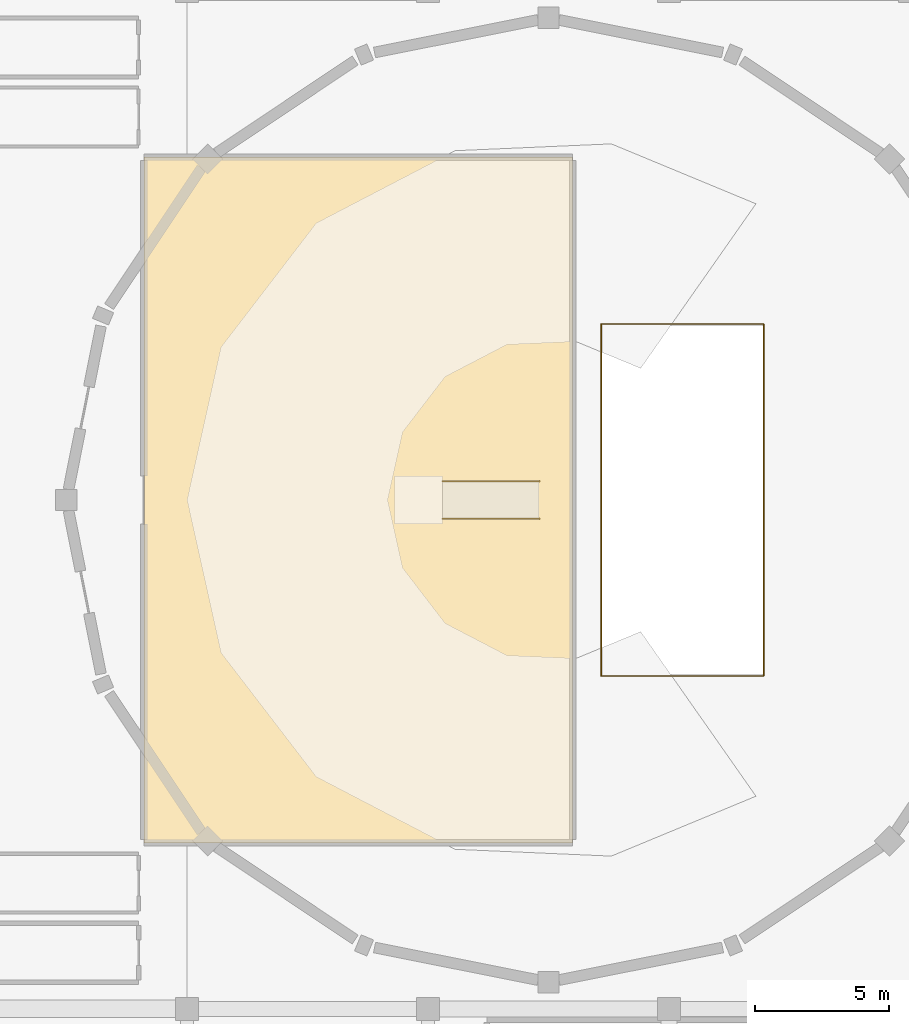
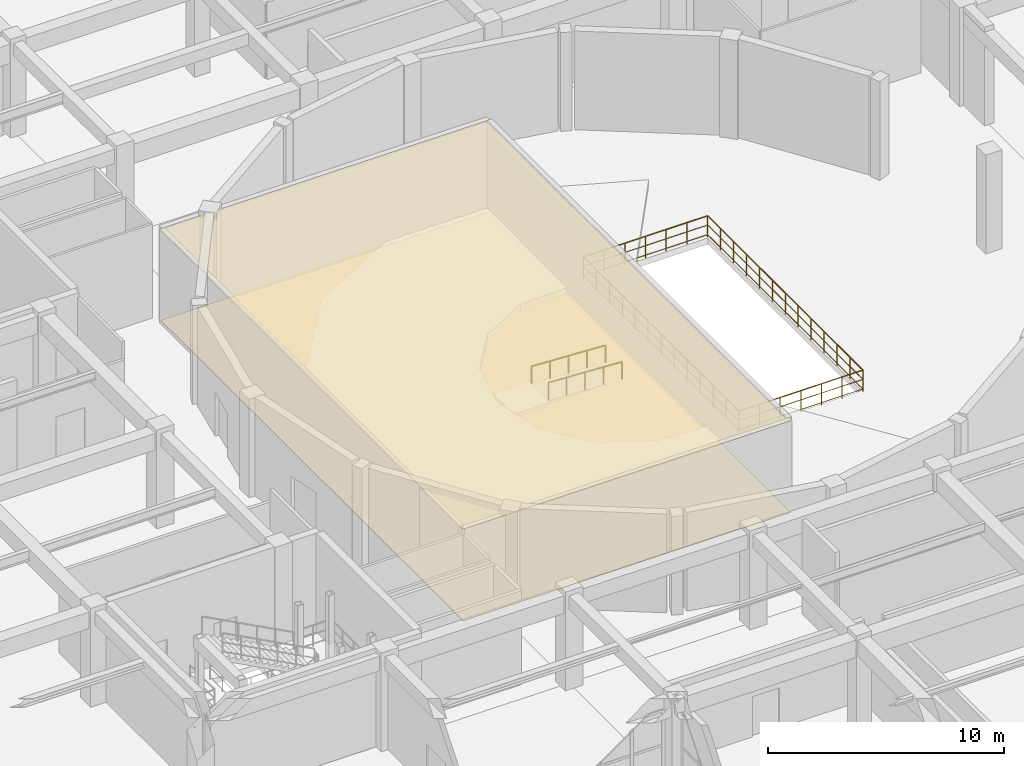
# One storey, part 120 of 128: 3 railings, 2 coverings.
"""IFC4 building model written with IfcOpenShell, lengths in metres."""

from ifc_helpers import new_model, si_unit, direction, frame, origin, origin_2d, place, context, subcontext, project, spatial, polyline, circle, outline, extrude, material, layer, layer_set, type_object, element, save


model = new_model("IFC4")

# Units and contexts
model_context = context("Model", 3, precision=1e-05, world=origin(), true_north=direction((0.0, 1.0)))
body_context = subcontext(model_context, "Body", "Model", "MODEL_VIEW")
ifc_project = project(units=[si_unit("LENGTHUNIT", "METRE"), si_unit("AREAUNIT", "SQUARE_METRE"), si_unit("VOLUMEUNIT", "CUBIC_METRE"), si_unit("PLANEANGLEUNIT", "RADIAN"), si_unit("MASSUNIT", "GRAM", prefix="KILO")], contexts=[model_context])

# Site, building, storey
site_placement = place(None, origin())
site = spatial("IfcSite", under=ifc_project, at=site_placement, CompositionType="ELEMENT")
building_placement = place(site_placement, origin())
building = spatial("IfcBuilding", under=site, at=building_placement, Name="Miravela Opera House", CompositionType="ELEMENT")
storey_placement = place(building_placement, origin())
storey = spatial("IfcBuildingStorey", under=building, at=storey_placement, Name="L00", CompositionType="ELEMENT", Elevation=0.0)

# Coverings
ifc_material_1 = material(Name="Suspended acoustic gypsum board ceiling")
ifc_layer_1 = layer(ifc_material_1, 0.02392578125)
ifc_layer_set_1 = layer_set([ifc_layer_1])
covering_type_1 = type_object("IfcCoveringType", Name="ARC-CEIL-GYPSUM-24", PredefinedType="CEILING", material=ifc_layer_set_1)
covering_1_placement = place(storey_placement, frame((0.0, 0.0, 4.72998046875)))
element("IfcCovering", 1, at=covering_1_placement, inside=storey, type_object=covering_type_1, Name="Main Opera Auditorium Stalls Acoustic Ceiling", PredefinedType="CEILING", context=body_context, shape_type="SweptSolid", body=[
    extrude(outline(polyline([(61.39990234375, 43.199951171875), (77.39990234375, 43.199951171875), (77.39990234375, 68.800048828125), (61.39990234375, 68.800048828125), (61.39990234375, 43.199951171875)])), origin(), (0.0, 0.0, 1.0), 0.02392578125),
])
ifc_material_2 = material(Name="Honed Guatemalan limestone foyer flooring", Category="masonry")
ifc_layer_2 = layer(ifc_material_2, 0.02587890625)
ifc_layer_set_2 = layer_set([ifc_layer_2])
covering_type_2 = type_object("IfcCoveringType", Name="ARC-FLR-TRAVERTINE-26", PredefinedType="FLOORING", material=ifc_layer_set_2)
covering_2_placement = place(storey_placement, origin())
element("IfcCovering", 2, at=covering_2_placement, inside=storey, type_object=covering_type_2, Name="Main Opera Auditorium Stalls Finish Flooring", PredefinedType="FLOORING", context=body_context, shape_type="SweptSolid", body=[
    extrude(outline(polyline([(61.39990234375, 43.199951171875), (77.39990234375, 43.199951171875), (77.39990234375, 68.800048828125), (61.39990234375, 68.800048828125), (61.39990234375, 43.199951171875)])), origin(), (0.0, 0.0, 1.0), 0.02587890625),
])

# Railings
ifc_material_3 = material(Name="Gilded bronze auditorium tier balustrade")
railing_type_1 = type_object("IfcRailingType", Name="ARC-RAIL-BOWL-BAL", PredefinedType="BALUSTRADE", material=ifc_material_3)
railing_placement = place(storey_placement, frame((78.466552734375, 49.427490234375, 0.0)))
element("IfcRailing", 3, at=railing_placement, inside=storey, type_object=railing_type_1, Name="L00 Void Perimeter Balustrade 0152", PredefinedType="BALUSTRADE", context=body_context, shape_type="SweptSolid", body=[
    extrude(circle(Radius=0.02490234375, at=origin_2d()), frame((0.0, 0.0, 1.09521484375), z_axis=(1.0, 0.0, 0.0), x_axis=(0.0, 1.0, 0.0)), (0.0, 0.0, 1.0), 6.06689453125),
    extrude(circle(Radius=0.01611328125, at=origin_2d()), frame((0.0, 0.0, 0.615966796875), z_axis=(1.0, 0.0, 0.0), x_axis=(0.0, 1.0, 0.0)), (0.0, 0.0, 1.0), 6.06689453125),
    extrude(circle(Radius=0.01611328125, at=origin_2d()), frame((0.0, 0.0, 0.1201171875), z_axis=(1.0, 0.0, 0.0), x_axis=(0.0, 1.0, 0.0)), (0.0, 0.0, 1.0), 6.06689453125),
    extrude(circle(Radius=0.02490234375, at=origin_2d()), frame((6.06689453125, 0.0, 1.09521484375), z_axis=(0.0, 1.0, 0.0), x_axis=(-1.0, 0.0, 0.0)), (0.0, 0.0, 1.0), 13.14501953125),
    extrude(circle(Radius=0.01611328125, at=origin_2d()), frame((6.06689453125, 0.0, 0.615966796875), z_axis=(0.0, 1.0, 0.0), x_axis=(-1.0, 0.0, 0.0)), (0.0, 0.0, 1.0), 13.14501953125),
    extrude(circle(Radius=0.01611328125, at=origin_2d()), frame((6.06689453125, 0.0, 0.1201171875), z_axis=(0.0, 1.0, 0.0), x_axis=(-1.0, 0.0, 0.0)), (0.0, 0.0, 1.0), 13.14501953125),
    extrude(circle(Radius=0.02490234375, at=origin_2d()), frame((6.06689453125, 13.14501953125, 1.09521484375), z_axis=(-1.0, 0.0, 0.0), x_axis=(0.0, -1.0, 0.0)), (0.0, 0.0, 1.0), 6.06689453125),
    extrude(circle(Radius=0.01611328125, at=origin_2d()), frame((6.06689453125, 13.14501953125, 0.615966796875), z_axis=(-1.0, 0.0, 0.0), x_axis=(0.0, -1.0, 0.0)), (0.0, 0.0, 1.0), 6.06689453125),
    extrude(circle(Radius=0.01611328125, at=origin_2d()), frame((6.06689453125, 13.14501953125, 0.1201171875), z_axis=(-1.0, 0.0, 0.0), x_axis=(0.0, -1.0, 0.0)), (0.0, 0.0, 1.0), 6.06689453125),
    extrude(circle(Radius=0.02490234375, at=origin_2d()), frame((0.0, 13.14501953125, 1.09521484375), z_axis=(0.0, -1.0, 0.0), x_axis=(1.0, 0.0, 0.0)), (0.0, 0.0, 1.0), 13.14501953125),
    extrude(circle(Radius=0.01611328125, at=origin_2d()), frame((0.0, 13.14501953125, 0.615966796875), z_axis=(0.0, -1.0, 0.0), x_axis=(1.0, 0.0, 0.0)), (0.0, 0.0, 1.0), 13.14501953125),
    extrude(circle(Radius=0.01611328125, at=origin_2d()), frame((0.0, 13.14501953125, 0.1201171875), z_axis=(0.0, -1.0, 0.0), x_axis=(1.0, 0.0, 0.0)), (0.0, 0.0, 1.0), 13.14501953125),
    extrude(circle(Radius=0.02099609375, at=origin_2d()), origin(), (0.0, 0.0, 1.0), 1.070068359375),
    extrude(circle(Radius=0.02099609375, at=origin_2d()), frame((1.01123046875, 0.0, 0.0)), (0.0, 0.0, 1.0), 1.070068359375),
    extrude(circle(Radius=0.02099609375, at=origin_2d()), frame((2.022216796875, 0.0, 0.0)), (0.0, 0.0, 1.0), 1.070068359375),
    extrude(circle(Radius=0.02099609375, at=origin_2d()), frame((3.033447265625, 0.0, 0.0)), (0.0, 0.0, 1.0), 1.070068359375),
    extrude(circle(Radius=0.02099609375, at=origin_2d()), frame((4.044677734375, 0.0, 0.0)), (0.0, 0.0, 1.0), 1.070068359375),
    extrude(circle(Radius=0.02099609375, at=origin_2d()), frame((5.0556640625, 0.0, 0.0)), (0.0, 0.0, 1.0), 1.070068359375),
    extrude(circle(Radius=0.02099609375, at=origin_2d()), frame((6.06689453125, 0.0, 0.0)), (0.0, 0.0, 1.0), 1.070068359375),
    extrude(circle(Radius=0.02099609375, at=origin_2d()), frame((6.06689453125, 1.095458984375, 0.0)), (0.0, 0.0, 1.0), 1.070068359375),
    extrude(circle(Radius=0.02099609375, at=origin_2d()), frame((6.06689453125, 2.19091796875, 0.0)), (0.0, 0.0, 1.0), 1.070068359375),
    extrude(circle(Radius=0.02099609375, at=origin_2d()), frame((6.06689453125, 3.2861328125, 0.0)), (0.0, 0.0, 1.0), 1.070068359375),
    extrude(circle(Radius=0.02099609375, at=origin_2d()), frame((6.06689453125, 4.381591796875, 0.0)), (0.0, 0.0, 1.0), 1.070068359375),
    extrude(circle(Radius=0.02099609375, at=origin_2d()), frame((6.06689453125, 5.47705078125, 0.0)), (0.0, 0.0, 1.0), 1.070068359375),
    extrude(circle(Radius=0.02099609375, at=origin_2d()), frame((6.06689453125, 6.572509765625, 0.0)), (0.0, 0.0, 1.0), 1.070068359375),
    extrude(circle(Radius=0.02099609375, at=origin_2d()), frame((6.06689453125, 7.66796875, 0.0)), (0.0, 0.0, 1.0), 1.070068359375),
    extrude(circle(Radius=0.02099609375, at=origin_2d()), frame((6.06689453125, 8.763427734375, 0.0)), (0.0, 0.0, 1.0), 1.070068359375),
    extrude(circle(Radius=0.02099609375, at=origin_2d()), frame((6.06689453125, 9.85888671875, 0.0)), (0.0, 0.0, 1.0), 1.070068359375),
    extrude(circle(Radius=0.02099609375, at=origin_2d()), frame((6.06689453125, 10.9541015625, 0.0)), (0.0, 0.0, 1.0), 1.070068359375),
    extrude(circle(Radius=0.02099609375, at=origin_2d()), frame((6.06689453125, 12.049560546875, 0.0)), (0.0, 0.0, 1.0), 1.070068359375),
    extrude(circle(Radius=0.02099609375, at=origin_2d()), frame((6.06689453125, 13.14501953125, 0.0)), (0.0, 0.0, 1.0), 1.070068359375),
    extrude(circle(Radius=0.02099609375, at=origin_2d()), frame((5.0556640625, 13.14501953125, 0.0)), (0.0, 0.0, 1.0), 1.070068359375),
    extrude(circle(Radius=0.02099609375, at=origin_2d()), frame((4.044677734375, 13.14501953125, 0.0)), (0.0, 0.0, 1.0), 1.070068359375),
    extrude(circle(Radius=0.02099609375, at=origin_2d()), frame((3.033447265625, 13.14501953125, 0.0)), (0.0, 0.0, 1.0), 1.070068359375),
    extrude(circle(Radius=0.02099609375, at=origin_2d()), frame((2.022216796875, 13.14501953125, 0.0)), (0.0, 0.0, 1.0), 1.070068359375),
    extrude(circle(Radius=0.02099609375, at=origin_2d()), frame((1.01123046875, 13.14501953125, 0.0)), (0.0, 0.0, 1.0), 1.070068359375),
    extrude(circle(Radius=0.02099609375, at=origin_2d()), frame((0.0, 13.14501953125, 0.0)), (0.0, 0.0, 1.0), 1.070068359375),
    extrude(circle(Radius=0.02099609375, at=origin_2d()), frame((0.0, 12.049560546875, 0.0)), (0.0, 0.0, 1.0), 1.070068359375),
    extrude(circle(Radius=0.02099609375, at=origin_2d()), frame((0.0, 10.9541015625, 0.0)), (0.0, 0.0, 1.0), 1.070068359375),
    extrude(circle(Radius=0.02099609375, at=origin_2d()), frame((0.0, 9.85888671875, 0.0)), (0.0, 0.0, 1.0), 1.070068359375),
    extrude(circle(Radius=0.02099609375, at=origin_2d()), frame((0.0, 8.763427734375, 0.0)), (0.0, 0.0, 1.0), 1.070068359375),
    extrude(circle(Radius=0.02099609375, at=origin_2d()), frame((0.0, 7.66796875, 0.0)), (0.0, 0.0, 1.0), 1.070068359375),
    extrude(circle(Radius=0.02099609375, at=origin_2d()), frame((0.0, 6.572509765625, 0.0)), (0.0, 0.0, 1.0), 1.070068359375),
    extrude(circle(Radius=0.02099609375, at=origin_2d()), frame((0.0, 5.47705078125, 0.0)), (0.0, 0.0, 1.0), 1.070068359375),
    extrude(circle(Radius=0.02099609375, at=origin_2d()), frame((0.0, 4.381591796875, 0.0)), (0.0, 0.0, 1.0), 1.070068359375),
    extrude(circle(Radius=0.02099609375, at=origin_2d()), frame((0.0, 3.2861328125, 0.0)), (0.0, 0.0, 1.0), 1.070068359375),
    extrude(circle(Radius=0.02099609375, at=origin_2d()), frame((0.0, 2.19091796875, 0.0)), (0.0, 0.0, 1.0), 1.070068359375),
    extrude(circle(Radius=0.02099609375, at=origin_2d()), frame((0.0, 1.095458984375, 0.0)), (0.0, 0.0, 1.0), 1.070068359375),
])
ifc_material_4 = material(Name="Brushed stainless accessible ramp handrail")
railing_type_2 = type_object("IfcRailingType", Name="ARC-RAIL-HAND-920", PredefinedType="HANDRAIL", material=ifc_material_4)
for number, where, name in (
    (4, (76.14990234375, 55.300048828125, 0.0), "Auditorium Stalls Accessible Ramp Left Handrail 0145"),
    (5, (76.14990234375, 56.699951171875, 0.0), "Auditorium Stalls Accessible Ramp Right Handrail 0146"),
):
    element("IfcRailing", number, at=place(storey_placement, frame(where)), inside=storey, type_object=railing_type_2, Name=name, PredefinedType="HANDRAIL", context=body_context, shape_type="SweptSolid", body=[
        extrude(circle(Radius=0.02197265625, at=origin_2d()), frame((0.0, 0.0, 0.89794921875), z_axis=(-0.998753183312, 0.0, 0.049920725405), x_axis=(0.0, -1.0, 0.0)), (0.0, 0.0, 1.0), 3.604248046875),
        extrude(circle(Radius=0.02099609375, at=origin_2d()), origin(), (0.0, 0.0, 1.0), 0.8759765625),
        extrude(circle(Radius=0.02099609375, at=origin_2d()), frame((-0.89990234375, 0.0, 0.044921875)), (0.0, 0.0, 1.0), 0.8759765625),
        extrude(circle(Radius=0.02099609375, at=origin_2d()), frame((-1.7998046875, 0.0, 0.08984375)), (0.0, 0.0, 1.0), 0.8759765625),
        extrude(circle(Radius=0.02099609375, at=origin_2d()), frame((-2.699951171875, 0.0, 0.135009765625)), (0.0, 0.0, 1.0), 0.8759765625),
        extrude(circle(Radius=0.02099609375, at=origin_2d()), frame((-3.599853515625, 0.0, 0.179931640625)), (0.0, 0.0, 1.0), 0.8759765625),
    ])

save(model, "model.ifc")
